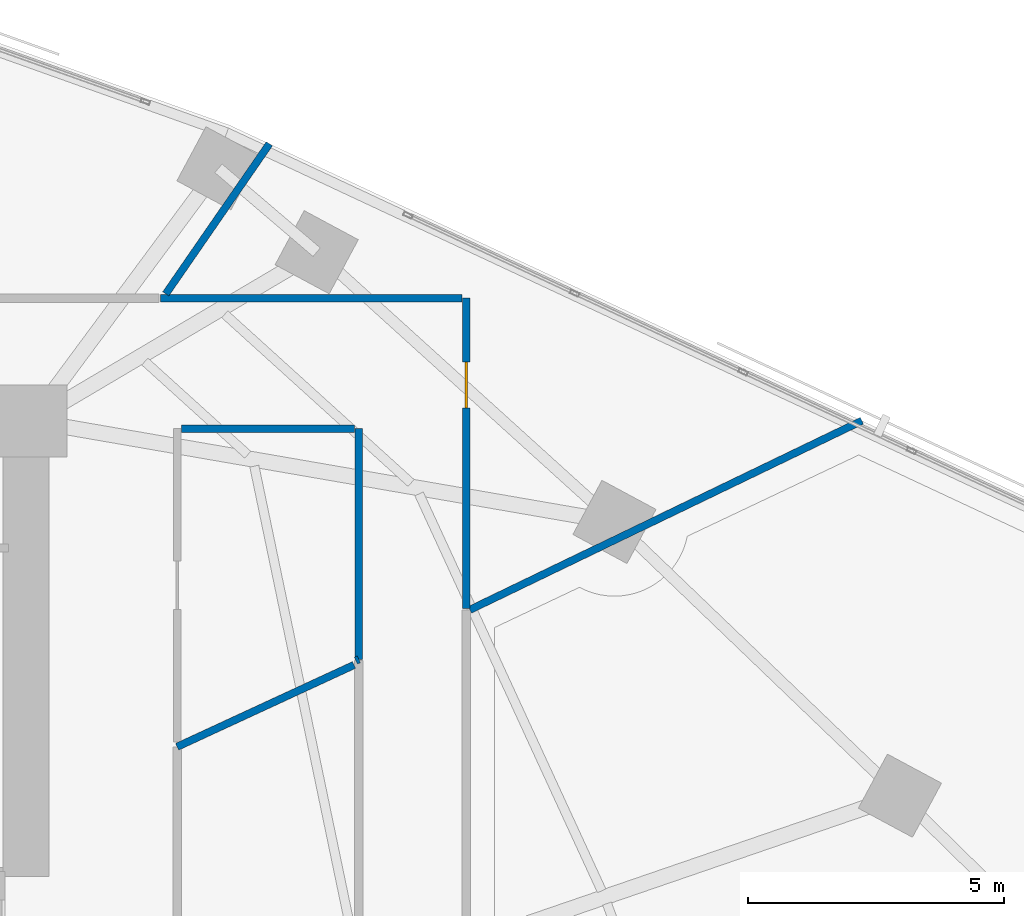
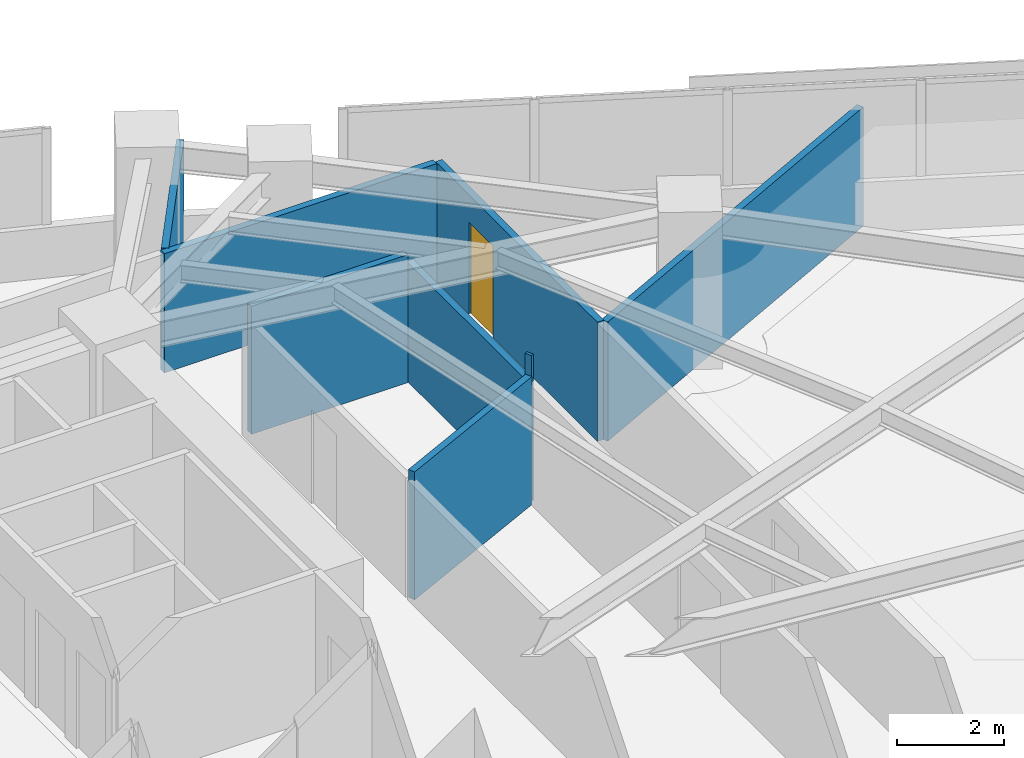
# One storey, part 13 of 16: 8 walls, 1 door, 1 opening.
"""IFC4 building model written with IfcOpenShell, lengths in metres."""

from ifc_helpers import new_model, si_unit, direction, frame, frame_2d, origin, place, context, subcontext, project, spatial, rectangle, extrude, material, layer, layer_set, type_object, element, fill, save


model = new_model("IFC4")

# Units and contexts
model_context = context("Model", 3, precision=1e-05, world=origin(), true_north=direction((0.0, 1.0)))
body_context = subcontext(model_context, "Body", "Model", "MODEL_VIEW")
ifc_project = project(units=[si_unit("LENGTHUNIT", "METRE"), si_unit("AREAUNIT", "SQUARE_METRE"), si_unit("VOLUMEUNIT", "CUBIC_METRE"), si_unit("PLANEANGLEUNIT", "RADIAN"), si_unit("MASSUNIT", "GRAM", prefix="KILO")], contexts=[model_context])

# Site, building, storey
site_placement = place(None, origin())
site = spatial("IfcSite", under=ifc_project, at=site_placement, CompositionType="ELEMENT")
building_placement = place(site_placement, origin())
building = spatial("IfcBuilding", under=site, at=building_placement, Name="Narakoshi Arena Tower", CompositionType="ELEMENT")
storey_placement = place(building_placement, frame((0.0, 0.0, 146.699951171875)))
storey = spatial("IfcBuildingStorey", under=building, at=storey_placement, Name="L39", CompositionType="ELEMENT", Elevation=146.699951171875)

# Walls
ifc_material_1 = material(Name="Moisture-resistant cement-board partition")
ifc_layer = layer(ifc_material_1, 0.14501953125)
ifc_layer_set = layer_set([ifc_layer], Name="Moisture-resistant cement-board partition")
wall_type = type_object("IfcWallType", Name="WL-WET-145", PredefinedType="PARTITIONING", material=ifc_layer_set)
wall_1_placement = place(storey_placement, frame((88.39990234375, 50.135009765625, 0.0), z_axis=(0.0, 0.0, 1.0), x_axis=(0.907632537882, 0.419765620529, 0.0)))
element("IfcWall", 1, at=wall_1_placement, inside=storey, type_object=wall_type, Name="L39 Inter-Room Partition 03-05", PredefinedType="PARTITIONING", context=body_context, shape_type="SweptSolid", body=[
    extrude(rectangle(XDim=3.80712890625, YDim=0.14501953125, at=frame_2d((1.903564453125, 0.0))), origin(), (0.0, 0.0, 1.0), 2.925048828125),
])
wall_2_placement = place(storey_placement, frame((94.119384765625, 52.811767578125, 0.0), z_axis=(0.0, 0.0, 1.0), x_axis=(0.900755842469, 0.434325813483, 0.0)))
element("IfcWall", 2, at=wall_2_placement, inside=storey, type_object=wall_type, Name="L39 Inter-Room Partition 04-06", PredefinedType="PARTITIONING", context=body_context, shape_type="SweptSolid", body=[
    extrude(rectangle(XDim=8.501953125, YDim=0.14501953125, at=frame_2d((4.2509765625, 0.0))), origin(), (0.0, 0.0, 1.0), 2.72509765625),
])
wall_3_placement = place(storey_placement, frame((91.949951171875, 56.35009765625, 0.0), z_axis=(0.0, 0.0, 1.0), x_axis=(0.0, -1.0, 0.0)))
element("IfcWall", 3, at=wall_3_placement, inside=storey, type_object=wall_type, Name="L39 Corridor Partition 05-2", PredefinedType="PARTITIONING", context=body_context, shape_type="SweptSolid", body=[
    extrude(rectangle(XDim=4.5068359375, YDim=0.14501953125, at=frame_2d((2.25341796875, 0.0))), origin(), (0.0, 0.0, 1.0), 2.72509765625),
])
wall_4_placement = place(storey_placement, frame((88.484619140625, 56.35009765625, 0.0), z_axis=(0.0, 0.0, 1.0), x_axis=(1.0, 0.0, 0.0)))
element("IfcWall", 4, at=wall_4_placement, inside=storey, type_object=wall_type, Name="L39 Corridor Partition 05-3", PredefinedType="PARTITIONING", context=body_context, shape_type="SweptSolid", body=[
    extrude(rectangle(XDim=3.380859375, YDim=0.14501953125, at=frame_2d((1.6904296875, 0.0))), origin(), (0.0, 0.0, 1.0), 2.925048828125),
])
wall_5_placement = place(storey_placement, frame((91.949951171875, 51.84326171875, 0.0), z_axis=(0.0, 0.0, 1.0), x_axis=(-0.903657821928, -0.428255228653, 0.0)))
element("IfcWall", 5, at=wall_5_placement, inside=storey, type_object=wall_type, Name="L39 Corridor Partition 05-4", PredefinedType="PARTITIONING", context=body_context, shape_type="SweptSolid", body=[
    extrude(rectangle(XDim=0.062255859375, YDim=0.14501953125, at=frame_2d((0.03125, 0.0))), origin(), (0.0, 0.0, 1.0), 3.340087890625),
])

# Wall, opening, door
wall_6_placement = place(storey_placement, frame((94.050048828125, 52.838134765625, 0.0), z_axis=(0.0, 0.0, 1.0), x_axis=(0.0, 1.0, 0.0)))
wall_6 = element("IfcWall", 6, at=wall_6_placement, inside=storey, type_object=wall_type, Name="L39 Corridor Partition 06-1", PredefinedType="PARTITIONING", context=body_context, shape_type="SweptSolid", body=[
    extrude(rectangle(XDim=6.061767578125, YDim=0.14501953125, at=frame_2d((3.03076171875, 0.0))), origin(), (0.0, 0.0, 1.0), 2.72509765625),
])
opening_placement = place(wall_6_placement, frame((3.914306640625, 0.0, 0.0)))
opening = element("IfcOpeningElement", 7, at=opening_placement, cuts=wall_6, Name="Opening D-08", PredefinedType="OPENING", context=body_context, shape_type="SweptSolid", body=[
    extrude(rectangle(XDim=0.89990234375, YDim=2.10009765625, at=frame_2d((0.449951171875, 1.050048828125))), frame((0.0, 0.08251953125, 0.0), z_axis=(0.0, -1.0, 0.0), x_axis=(1.0, 0.0, 0.0)), (0.0, 0.0, 1.0), 0.1650390625),
])
ifc_material_2 = material(Name="Moisture-resistant laminate timber", Category="wood")
door_type = type_object("IfcDoorType", Name="DR-WC-900", OperationType="NOTDEFINED", PredefinedType="DOOR", material=ifc_material_2)
door_placement = place(opening_placement, frame((0.89990234375, 0.0, 0.0), z_axis=(0.0, 0.0, 1.0), x_axis=(-1.0, 0.0, 0.0)))
door = element("IfcDoor", 8, at=door_placement, inside=storey, type_object=door_type, Name="DR-L39-020", OperationType="SINGLE_SWING_LEFT", OverallHeight=2.10009765625, OverallWidth=0.89990234375, PredefinedType="DOOR", context=body_context, shape_type="SweptSolid", body=[
    extrude(rectangle(XDim=0.89990234375, YDim=2.10009765625, at=frame_2d((0.449951171875, 1.050048828125))), frame((0.0, 0.02490234375, 0.0), z_axis=(0.0, -1.0, 0.0), x_axis=(1.0, 0.0, 0.0)), (0.0, 0.0, 1.0), 0.050048828125),
])
fill(opening, door)

# Walls
wall_7_placement = place(storey_placement, frame((93.965576171875, 58.89990234375, 0.0), z_axis=(0.0, 0.0, 1.0), x_axis=(-1.0, 0.0, 0.0)))
element("IfcWall", 9, at=wall_7_placement, inside=storey, type_object=wall_type, Name="L39 Corridor Partition 06-2", PredefinedType="PARTITIONING", context=body_context, shape_type="SweptSolid", body=[
    extrude(rectangle(XDim=5.889892578125, YDim=0.14501953125, at=frame_2d((2.94482421875, 0.0))), origin(), (0.0, 0.0, 1.0), 2.72509765625),
])
wall_8_placement = place(storey_placement, frame((88.177734375, 58.984619140625, 0.0), z_axis=(0.0, 0.0, 1.0), x_axis=(0.568194031442, 0.822894612106, 0.0)))
element("IfcWall", 10, at=wall_8_placement, inside=storey, type_object=wall_type, Name="L39 Inter-Room Partition 06-07", PredefinedType="PARTITIONING", context=body_context, shape_type="SweptSolid", body=[
    extrude(rectangle(XDim=3.56298828125, YDim=0.14501953125, at=frame_2d((1.781494140625, 0.0))), origin(), (0.0, 0.0, 1.0), 2.72509765625),
])

save(model, "model.ifc")
